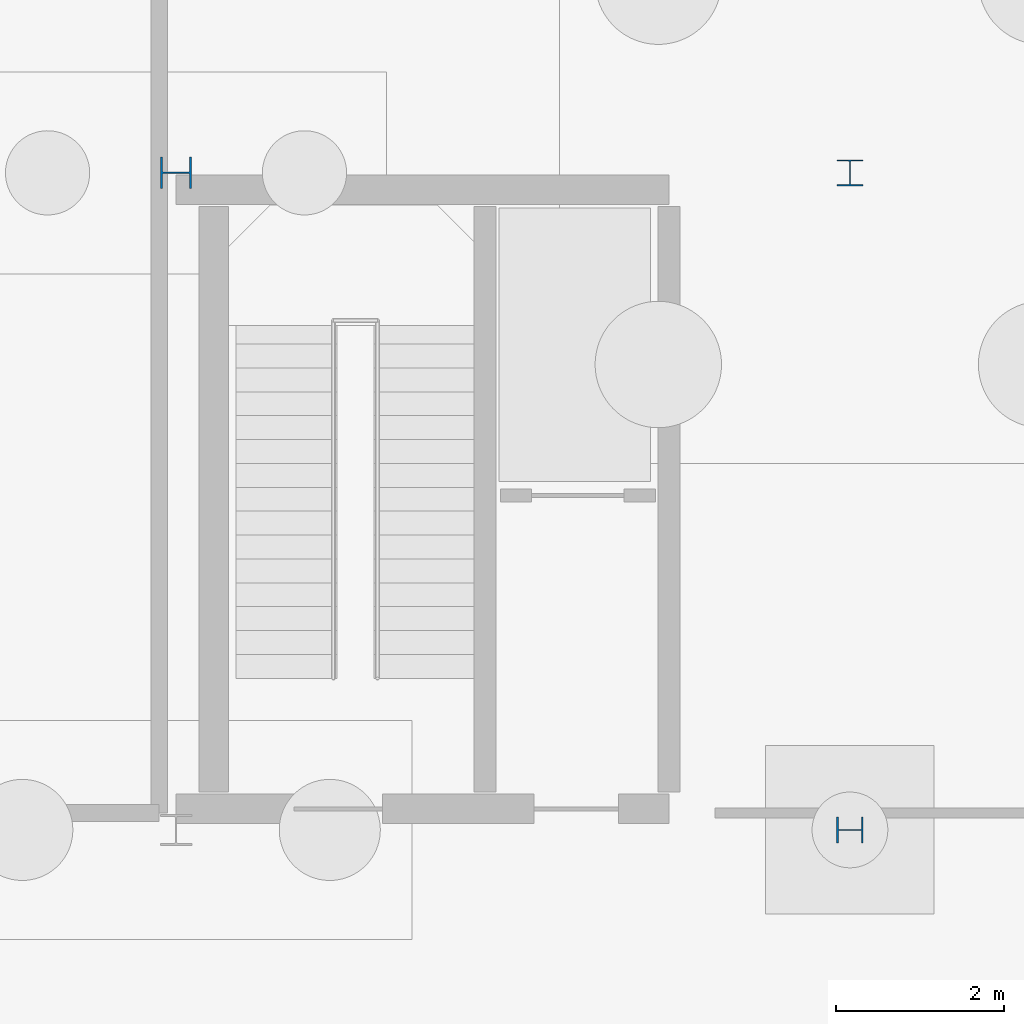
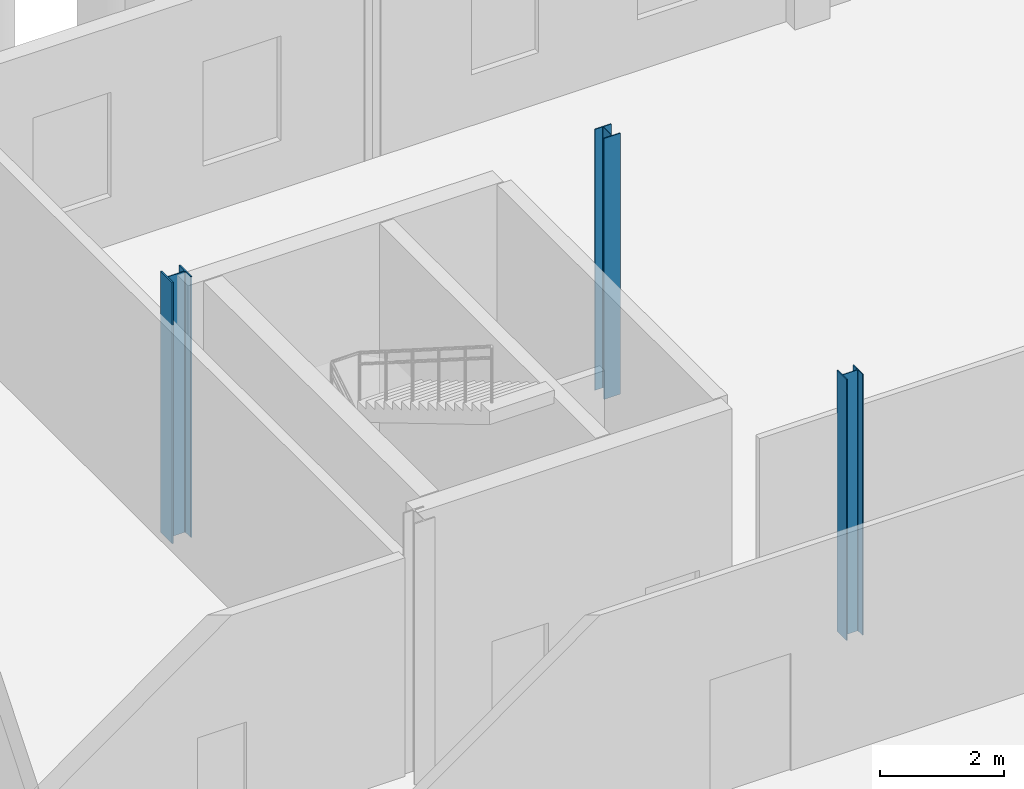
# One storey, part 18 of 87: 3 columns.
"""IFC4 building model written with IfcOpenShell, lengths in metres."""

from ifc_helpers import new_model, si_unit, direction, frame, origin, origin_2d, place, context, subcontext, project, spatial, i_section, extrude, material, material_profile, profile_set, type_object, element, save


model = new_model("IFC4")

# Units and contexts
model_context = context("Model", 3, precision=1e-05, world=origin(), true_north=direction((0.0, 1.0)))
body_context = subcontext(model_context, "Body", "Model", "MODEL_VIEW")
ifc_project = project(units=[si_unit("LENGTHUNIT", "METRE"), si_unit("AREAUNIT", "SQUARE_METRE"), si_unit("VOLUMEUNIT", "CUBIC_METRE"), si_unit("PLANEANGLEUNIT", "RADIAN"), si_unit("MASSUNIT", "GRAM", prefix="KILO")], contexts=[model_context])

# Site, building, storey
site_placement = place(None, origin())
site = spatial("IfcSite", under=ifc_project, at=site_placement, CompositionType="ELEMENT")
building_placement = place(site_placement, origin())
building = spatial("IfcBuilding", under=site, at=building_placement, Name="Brisemont Oceanarium", CompositionType="ELEMENT")
storey_placement = place(building_placement, origin())
storey = spatial("IfcBuildingStorey", under=building, at=storey_placement, Name="L00", CompositionType="ELEMENT", Elevation=0.0)

# Columns
ifc_material_1 = material(Name="Structural Steel ASTM A992 Gr.50", Category="steel")
ifc_material_profile_1 = material_profile(ifc_material_1, i_section(OverallWidth=0.305908203125, OverallDepth=0.31103515625, WebThickness=0.010986328125, FlangeThickness=0.01708984375, FilletRadius=0.012939453125, at=origin_2d()), Name="W12X72")
ifc_profile_set_1 = profile_set([ifc_material_profile_1], Name="Structural Steel ASTM A992 Gr.50")
column_type_1 = type_object("IfcColumnType", Name="COL-W12X72", PredefinedType="COLUMN", material=ifc_profile_set_1)
column_1_placement = place(storey_placement, frame((128.0, 63.800048828125, 0.0), z_axis=(0.0, 0.0, 1.0), x_axis=(1.0, 0.0, 0.0)))
element("IfcColumn", 1, at=column_1_placement, inside=storey, type_object=column_type_1, Name="V5E L00 column (2,4)", PredefinedType="COLUMN", context=body_context, shape_type="SweptSolid", body=[
    extrude(i_section(OverallWidth=0.305908203125, OverallDepth=0.31103515625, WebThickness=0.010986328125, FlangeThickness=0.01708984375, FilletRadius=0.012939453125, at=origin_2d()), origin(), (0.0, 0.0, 1.0), 5.1201171875),
])
ifc_material_2 = material(Name="Structural Steel ASTM A992 Gr.50", Category="steel")
ifc_material_profile_2 = material_profile(ifc_material_2, i_section(OverallWidth=0.306884765625, OverallDepth=0.31494140625, WebThickness=0.011962890625, FlangeThickness=0.018798828125, FilletRadius=0.012939453125, at=origin_2d()), Name="W12X79")
ifc_profile_set_2 = profile_set([ifc_material_profile_2], Name="Structural Steel ASTM A992 Gr.50")
column_type_2 = type_object("IfcColumnType", Name="COL-W12X79", PredefinedType="COLUMN", material=ifc_profile_set_2)
column_2_placement = place(storey_placement, frame((128.0, 56.0, 0.0), z_axis=(0.0, 0.0, 1.0), x_axis=(0.0, 1.0, 0.0)))
element("IfcColumn", 2, at=column_2_placement, inside=storey, type_object=column_type_2, Name="V5E L00 column (2,3)", PredefinedType="COLUMN", context=body_context, shape_type="SweptSolid", body=[
    extrude(i_section(OverallWidth=0.306884765625, OverallDepth=0.31494140625, WebThickness=0.011962890625, FlangeThickness=0.018798828125, FilletRadius=0.012939453125, at=origin_2d()), origin(), (0.0, 0.0, 1.0), 5.1201171875),
])
ifc_material_3 = material(Name="Structural Steel ASTM A992 Gr.50", Category="steel")
ifc_material_profile_3 = material_profile(ifc_material_3, i_section(OverallWidth=0.373046875, OverallDepth=0.367919921875, WebThickness=0.014892578125, FlangeThickness=0.02392578125, FilletRadius=0.014892578125, at=origin_2d()), Name="W14X120")
ifc_profile_set_3 = profile_set([ifc_material_profile_3], Name="Structural Steel ASTM A992 Gr.50")
column_type_3 = type_object("IfcColumnType", Name="COL-W14X120", PredefinedType="COLUMN", material=ifc_profile_set_3)
column_3_placement = place(storey_placement, frame((120.0, 63.800048828125, 0.0), z_axis=(0.0, 0.0, 1.0), x_axis=(0.0, 1.0, 0.0)))
element("IfcColumn", 3, at=column_3_placement, inside=storey, type_object=column_type_3, Name="V5E L00 column (1,4)", PredefinedType="COLUMN", context=body_context, shape_type="SweptSolid", body=[
    extrude(i_section(OverallWidth=0.373046875, OverallDepth=0.367919921875, WebThickness=0.014892578125, FlangeThickness=0.02392578125, FilletRadius=0.014892578125, at=origin_2d()), origin(), (0.0, 0.0, 1.0), 5.1201171875),
])

save(model, "model.ifc")
